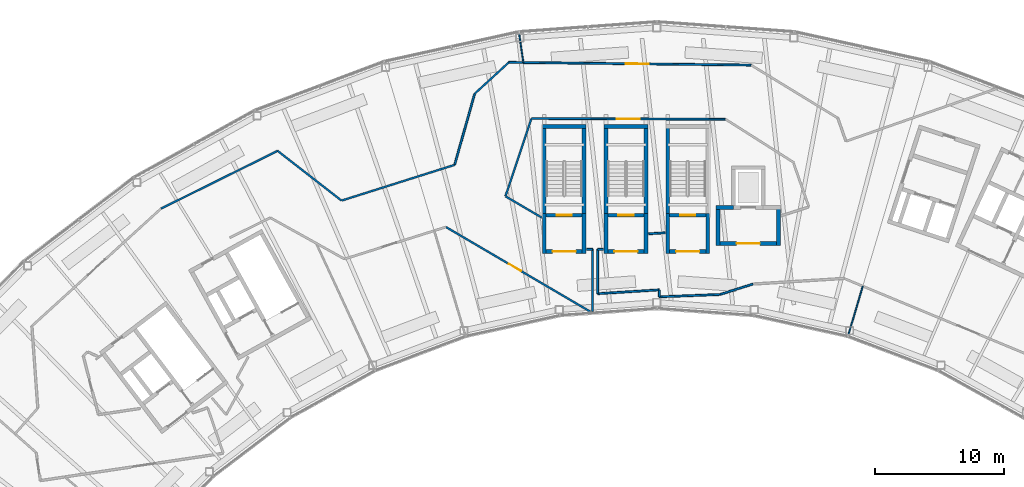
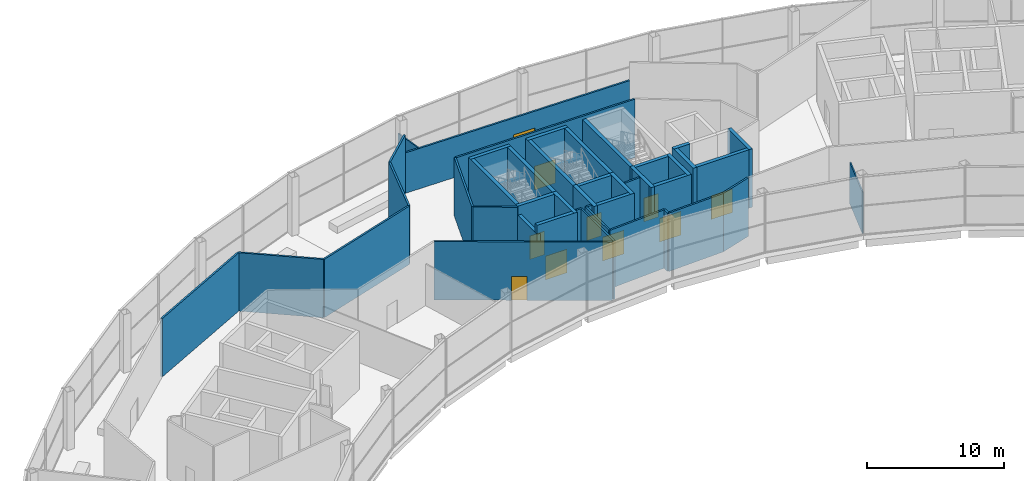
# One storey, part 38 of 44: 44 walls, 10 doors, 10 openings.
"""IFC4 building model written with IfcOpenShell, lengths in metres."""

import ifcopenshell
import ifcopenshell.guid

model = None  # the IFC model being written
_history = None  # IfcOwnerHistory: only IFC2X3 demands one
_inside = {}  # id of a spatial element -> (the spatial element, [elements in it])
_under = {}  # id of a project, library or spatial element -> (it, [spatial elements below it])
_declared = {}  # id of a project -> (the project, [libraries it declares])
_typed = {}  # id of a type object -> (the type object, [elements of that type])
_made_of = {}  # id of a material, layer set ... -> (it, [elements and type objects made of it])


def new_model(schema):
    """Start an empty IFC model of exactly this schema.

    Asked for "IFC4X3", IfcOpenShell would pick the latest addendum, in which some entities
    have other attributes; the version numbers below select the first issue.
    IFC2X3 requires an IfcOwnerHistory on every rooted entity: one is made here for all.
    """
    global model, _history
    if schema == "IFC4X3":
        model = ifcopenshell.file(schema_version=(4, 3, 0, 0))
    else:
        model = ifcopenshell.file(schema=schema)
    _inside.clear()
    _under.clear()
    _declared.clear()
    _typed.clear()
    _made_of.clear()
    _history = None
    if model.schema == "IFC2X3":
        org = make("IfcOrganization", Name="unknown")
        user = make(
            "IfcPersonAndOrganization",
            ThePerson=make("IfcPerson", FamilyName="unknown"),
            TheOrganization=org,
        )
        app = make(
            "IfcApplication",
            ApplicationDeveloper=org,
            Version="unknown",
            ApplicationFullName="unknown",
            ApplicationIdentifier="unknown",
        )
        _history = make(
            "IfcOwnerHistory",
            OwningUser=user,
            OwningApplication=app,
            ChangeAction="ADDED",
            CreationDate=0,
        )
    return model


def make(cls, **values):
    """One entity of the class cls with the attributes given. An attribute that is None is left unset."""
    return model.create_entity(
        cls, **{name: value for name, value in values.items() if value is not None}
    )


def rooted(cls, **values):
    """An entity with a GlobalId (a new one), such as an element, a storey or a relation."""
    return make(cls, GlobalId=ifcopenshell.guid.new(), OwnerHistory=_history, **values)


def si_unit(unit_type, name, prefix=None):
    """IfcSIUnit, for example si_unit("LENGTHUNIT", "METRE", prefix="MILLI")."""
    return make("IfcSIUnit", UnitType=unit_type, Prefix=prefix, Name=name)


def assignment(units):
    """IfcUnitAssignment: the units of a project."""
    return None if units is None else make("IfcUnitAssignment", Units=units)


def point(xyz):
    """IfcCartesianPoint."""
    return None if xyz is None else make("IfcCartesianPoint", Coordinates=xyz)


def direction(xyz):
    """IfcDirection."""
    return None if xyz is None else make("IfcDirection", DirectionRatios=xyz)


def frame(location, z_axis=None, x_axis=None):
    """IfcAxis2Placement3D, a coordinate frame: its origin and axes. An axis left out is left unset."""
    return make(
        "IfcAxis2Placement3D",
        Location=point(location),
        Axis=direction(z_axis),
        RefDirection=direction(x_axis),
    )


def frame_2d(location, x_axis=None):
    """IfcAxis2Placement2D, a coordinate frame in the plane: its origin and x axis."""
    return make(
        "IfcAxis2Placement2D", Location=point(location), RefDirection=direction(x_axis)
    )


def origin():
    """The frame at (0, 0, 0) with its axes left unset."""
    return frame((0.0, 0.0, 0.0))


def place(relative_to, where):
    """IfcLocalPlacement: puts the frame where relative to a parent placement (None: the world)."""
    return make(
        "IfcLocalPlacement", PlacementRelTo=relative_to, RelativePlacement=where
    )


def context(
    kind, dimensions, precision=None, world=None, true_north=None, identifier=None
):
    """IfcGeometricRepresentationContext, for example the 3D "Model" context."""
    return make(
        "IfcGeometricRepresentationContext",
        ContextIdentifier=identifier,
        ContextType=kind,
        CoordinateSpaceDimension=dimensions,
        Precision=precision,
        WorldCoordinateSystem=world,
        TrueNorth=true_north,
    )


def subcontext(parent, identifier, kind, view, scale=None):
    """IfcGeometricRepresentationSubContext, for example "Body" below "Model"."""
    return make(
        "IfcGeometricRepresentationSubContext",
        ContextIdentifier=identifier,
        ContextType=kind,
        ParentContext=parent,
        TargetScale=scale,
        TargetView=view,
    )


def project(units=None, contexts=None):
    """IfcProject with its units and contexts."""
    return rooted(
        "IfcProject",
        Name="project",
        RepresentationContexts=contexts,
        UnitsInContext=assignment(units),
    )


def spatial(cls, under=None, at=None, **own):
    """A site, building, storey or space (cls), placed at a placement, below another one or the project."""
    s = rooted(cls, ObjectPlacement=at, **own)
    if under is not None:
        _under.setdefault(under.id(), (under, []))[1].append(s)
    return s


def profile(cls, at=None, kind="AREA", **sizes):
    """A parametric profile (cls). Its sizes go by their IFC names, for example OverallWidth=200.0."""
    return make(cls, ProfileType=kind, Position=at, **sizes)


def rectangle(**sizes):
    """IfcRectangleProfileDef."""
    return profile("IfcRectangleProfileDef", **sizes)


def extrude(swept, where, along, depth):
    """IfcExtrudedAreaSolid: the profile swept, set in the frame where, extruded along a direction by depth."""
    return make(
        "IfcExtrudedAreaSolid",
        SweptArea=swept,
        Position=where,
        ExtrudedDirection=direction(along),
        Depth=depth,
    )


def shape(context_of_items, identifier, shape_type, items):
    """IfcShapeRepresentation: the items that make up one representation, for example the "Body"."""
    return make(
        "IfcShapeRepresentation",
        ContextOfItems=context_of_items,
        RepresentationIdentifier=identifier,
        RepresentationType=shape_type,
        Items=items,
    )


def material(Name=None, Category=None):
    """IfcMaterial."""
    return make("IfcMaterial", Name=Name, Category=Category)


def layer(
    of_material, thickness, ventilated=None, Name=None, Category=None, Priority=None
):
    """IfcMaterialLayer: one layer of a wall or slab, of a material (None: an air gap)."""
    return make(
        "IfcMaterialLayer",
        Material=of_material,
        LayerThickness=thickness,
        IsVentilated=ventilated,
        Name=Name,
        Category=Category,
        Priority=Priority,
    )


def layer_set(layers, Name=None):
    """IfcMaterialLayerSet."""
    return make("IfcMaterialLayerSet", MaterialLayers=layers, LayerSetName=Name)


def made_of(thing, what):
    """Note that an element or type object is made of a material, layer set ...; save() writes the relation."""
    if what is not None:
        _made_of.setdefault(what.id(), (what, []))[1].append(thing)
    return thing


def type_object(cls, material=None, **own):
    """A type object (cls), such as IfcWallType, which elements share."""
    return made_of(rooted(cls, **own), material)


def element(
    cls,
    number,
    at=None,
    inside=None,
    cuts=None,
    type_object=None,
    material=None,
    context=None,
    identifier="Body",
    shape_type=None,
    held_by="IfcProductDefinitionShape",
    body=None,
    shapes=None,
    **own,
):
    """One element of the class cls, such as IfcWall. Its Tag is "e" and its number.

    at: its placement. inside: the storey or other place that contains it. cuts: it is an
    opening in that element (IfcRelVoidsElement). A single representation is given by context,
    identifier, shape_type and body (its items); several are given by shapes. held_by: the class
    of the entity that holds the representations. save() writes the other relations.
    """
    e = rooted(cls, Tag="e%d" % number, ObjectPlacement=at, **own)
    if body is not None:
        shapes = [shape(context, identifier, shape_type, body)]
    if shapes is not None:
        e.Representation = make(held_by, Representations=shapes)
    if inside is not None:
        _inside.setdefault(inside.id(), (inside, []))[1].append(e)
    if cuts is not None:
        rooted(
            "IfcRelVoidsElement", RelatingBuildingElement=cuts, RelatedOpeningElement=e
        )
    if type_object is not None:
        _typed.setdefault(type_object.id(), (type_object, []))[1].append(e)
    return made_of(e, material)


def fill(opening, filler):
    """IfcRelFillsElement: the door or window that sits in an opening."""
    return rooted(
        "IfcRelFillsElement",
        RelatingOpeningElement=opening,
        RelatedBuildingElement=filler,
    )


def aggregate(whole, parts):
    """IfcRelAggregates: a whole, such as a stair, and the parts it consists of."""
    return rooted("IfcRelAggregates", RelatingObject=whole, RelatedObjects=parts)


def save(model, path):
    """Write the relations noted so far, then the file.

    IfcRelAggregates (storeys below a building ...), IfcRelContainedInSpatialStructure (elements
    in a storey), IfcRelDefinesByType, IfcRelAssociatesMaterial and IfcRelDeclares: one each for
    every whole, place, type object, material and project.
    """
    for whole, parts in _under.values():
        aggregate(whole, parts)
    for where, things in _inside.values():
        rooted(
            "IfcRelContainedInSpatialStructure",
            RelatedElements=things,
            RelatingStructure=where,
        )
    for kind, things in _typed.values():
        rooted("IfcRelDefinesByType", RelatedObjects=things, RelatingType=kind)
    for what, things in _made_of.values():
        rooted("IfcRelAssociatesMaterial", RelatedObjects=things, RelatingMaterial=what)
    for by, libraries in _declared.values():
        rooted("IfcRelDeclares", RelatingContext=by, RelatedDefinitions=libraries)
    model.write(path)


model = new_model("IFC4")

# Units and contexts
model_context = context("Model", 3, precision=1e-05, world=origin(), true_north=direction((0.0, 1.0)))
body_context = subcontext(model_context, "Body", "Model", "MODEL_VIEW")
ifc_project = project(units=[si_unit("LENGTHUNIT", "METRE"), si_unit("AREAUNIT", "SQUARE_METRE"), si_unit("VOLUMEUNIT", "CUBIC_METRE"), si_unit("PLANEANGLEUNIT", "RADIAN"), si_unit("MASSUNIT", "GRAM", prefix="KILO")], contexts=[model_context])

# Site, building, storey
site_placement = place(None, origin())
site = spatial("IfcSite", under=ifc_project, at=site_placement, CompositionType="ELEMENT")
building_placement = place(site_placement, origin())
building = spatial("IfcBuilding", under=site, at=building_placement, Name="Tuul Gate Civic Tower", CompositionType="ELEMENT")
storey_placement = place(building_placement, frame((0.0, 0.0, 354.60009765625)))
storey = spatial("IfcBuildingStorey", under=building, at=storey_placement, Name="Observation level 2", CompositionType="ELEMENT", Elevation=354.60009765625)

# Walls
ifc_material_1 = material(Name="Concrete C50/60", Category="concrete")
ifc_layer_1 = layer(ifc_material_1, 0.300048828125)
ifc_layer_set_1 = layer_set([ifc_layer_1], Name="Concrete C50/60")
wall_type_1 = type_object("IfcWallType", Name="Core wall C50/60", PredefinedType="SHEAR", material=ifc_layer_set_1)
for number, where, z_axis, x_axis, name in (
    (1, (-3.449951171875, -0.89990234375, -0.400146484375), (0.0, 0.0, 1.0), (0.0, 1.0, 0.0), "Core wall"),
    (2, (-6.550048828125, 6.300048828125, -0.400146484375), (0.0, 0.0, 1.0), (0.0, -1.0, 0.0), "Core wall"),
):
    element("IfcWall", number, at=place(storey_placement, frame(where, z_axis=z_axis, x_axis=x_axis)), inside=storey, type_object=wall_type_1, Name=name, PredefinedType="SHEAR", context=body_context, shape_type="SweptSolid", body=[
        extrude(rectangle(XDim=7.199951171875, YDim=0.300048828125, at=frame_2d((3.60009765625, 0.0))), origin(), (0.0, 0.0, 1.0), 5.60009765625),
    ])
wall_1_placement = place(storey_placement, frame((-3.300048828125, 6.14990234375, -0.400146484375), z_axis=(0.0, 0.0, 1.0), x_axis=(-1.0, 0.0, 0.0)))
element("IfcWall", 3, at=wall_1_placement, inside=storey, type_object=wall_type_1, Name="Core wall", PredefinedType="SHEAR", context=body_context, shape_type="SweptSolid", body=[
    extrude(rectangle(XDim=3.39990234375, YDim=0.300048828125, at=frame_2d((1.699951171875, 0.0))), origin(), (0.0, 0.0, 1.0), 5.60009765625),
])

# Wall, opening, door
wall_2_placement = place(storey_placement, frame((-3.300048828125, -0.75, -0.400146484375), z_axis=(0.0, 0.0, 1.0), x_axis=(-1.0, 0.0, 0.0)))
wall_2 = element("IfcWall", 4, at=wall_2_placement, inside=storey, type_object=wall_type_1, Name="Core wall", PredefinedType="SHEAR", context=body_context, shape_type="SweptSolid", body=[
    extrude(rectangle(XDim=3.39990234375, YDim=0.300048828125, at=frame_2d((1.699951171875, 0.0))), origin(), (0.0, 0.0, 1.0), 5.60009765625),
])
opening_1_placement = place(wall_2_placement, frame((1.10009765625, 0.0, 0.39990234375)))
opening_1 = element("IfcOpeningElement", 5, at=opening_1_placement, cuts=wall_2, Name="Opening SD-ST-5", PredefinedType="OPENING", context=body_context, shape_type="SweptSolid", body=[
    extrude(rectangle(XDim=1.199951171875, YDim=2.10009765625, at=frame_2d((0.60009765625, 1.050048828125))), frame((0.0, 0.16015625, 0.0), z_axis=(0.0, -1.0, 0.0), x_axis=(1.0, 0.0, 0.0)), (0.0, 0.0, 1.0), 0.320068359375),
])
ifc_material_2 = material(Name="Steel", Category="steel")
door_type_1 = type_object("IfcDoorType", Name="Stair door", OperationType="NOTDEFINED", PredefinedType="DOOR", material=ifc_material_2)
door_1_placement = place(opening_1_placement, origin())
door_1 = element("IfcDoor", 6, at=door_1_placement, inside=storey, type_object=door_type_1, Name="Stair door ST-5", OperationType="SINGLE_SWING_LEFT", OverallHeight=2.10009765625, OverallWidth=1.199951171875, PredefinedType="DOOR", context=body_context, shape_type="SweptSolid", body=[
    extrude(rectangle(XDim=1.199951171875, YDim=2.10009765625, at=frame_2d((0.60009765625, 1.050048828125))), frame((0.0, 0.02490234375, 0.0), z_axis=(0.0, -1.0, 0.0), x_axis=(1.0, 0.0, 0.0)), (0.0, 0.0, 1.0), 0.050048828125),
])
fill(opening_1, door_1)

# Walls
for number, where, z_axis, x_axis, name in (
    (7, (1.35009765625, -0.89990234375, -0.400146484375), (0.0, 0.0, 1.0), (0.0, 1.0, 0.0), "Core wall"),
    (8, (-1.75, 6.300048828125, -0.400146484375), (0.0, 0.0, 1.0), (0.0, -1.0, 0.0), "Core wall"),
):
    element("IfcWall", number, at=place(storey_placement, frame(where, z_axis=z_axis, x_axis=x_axis)), inside=storey, type_object=wall_type_1, Name=name, PredefinedType="SHEAR", context=body_context, shape_type="SweptSolid", body=[
        extrude(rectangle(XDim=7.199951171875, YDim=0.300048828125, at=frame_2d((3.60009765625, 0.0))), origin(), (0.0, 0.0, 1.0), 5.60009765625),
    ])
wall_3_placement = place(storey_placement, frame((1.5, 6.14990234375, -0.400146484375), z_axis=(0.0, 0.0, 1.0), x_axis=(-1.0, 0.0, 0.0)))
element("IfcWall", 9, at=wall_3_placement, inside=storey, type_object=wall_type_1, Name="Core wall", PredefinedType="SHEAR", context=body_context, shape_type="SweptSolid", body=[
    extrude(rectangle(XDim=3.39990234375, YDim=0.300048828125, at=frame_2d((1.699951171875, 0.0))), origin(), (0.0, 0.0, 1.0), 5.60009765625),
])

# Wall, opening, door
wall_4_placement = place(storey_placement, frame((1.5, -0.75, -0.400146484375), z_axis=(0.0, 0.0, 1.0), x_axis=(-1.0, 0.0, 0.0)))
wall_4 = element("IfcWall", 10, at=wall_4_placement, inside=storey, type_object=wall_type_1, Name="Core wall", PredefinedType="SHEAR", context=body_context, shape_type="SweptSolid", body=[
    extrude(rectangle(XDim=3.39990234375, YDim=0.300048828125, at=frame_2d((1.699951171875, 0.0))), origin(), (0.0, 0.0, 1.0), 5.60009765625),
])
opening_2_placement = place(wall_4_placement, frame((1.10009765625, 0.0, 0.39990234375)))
opening_2 = element("IfcOpeningElement", 11, at=opening_2_placement, cuts=wall_4, Name="Opening SD-ST-6", PredefinedType="OPENING", context=body_context, shape_type="SweptSolid", body=[
    extrude(rectangle(XDim=1.199951171875, YDim=2.10009765625, at=frame_2d((0.60009765625, 1.050048828125))), frame((0.0, 0.16015625, 0.0), z_axis=(0.0, -1.0, 0.0), x_axis=(1.0, 0.0, 0.0)), (0.0, 0.0, 1.0), 0.320068359375),
])
door_2_placement = place(opening_2_placement, origin())
door_2 = element("IfcDoor", 12, at=door_2_placement, inside=storey, type_object=door_type_1, Name="Stair door ST-6", OperationType="SINGLE_SWING_LEFT", OverallHeight=2.10009765625, OverallWidth=1.199951171875, PredefinedType="DOOR", context=body_context, shape_type="SweptSolid", body=[
    extrude(rectangle(XDim=1.199951171875, YDim=2.10009765625, at=frame_2d((0.60009765625, 1.050048828125))), frame((0.0, 0.02490234375, 0.0), z_axis=(0.0, -1.0, 0.0), x_axis=(1.0, 0.0, 0.0)), (0.0, 0.0, 1.0), 0.050048828125),
])
fill(opening_2, door_2)

# Wall
wall_5_placement = place(storey_placement, frame((3.050048828125, 6.300048828125, -0.400146484375), z_axis=(0.0, 0.0, 1.0), x_axis=(0.0, -1.0, 0.0)))
element("IfcWall", 13, at=wall_5_placement, inside=storey, type_object=wall_type_1, Name="Core wall", PredefinedType="SHEAR", context=body_context, shape_type="SweptSolid", body=[
    extrude(rectangle(XDim=7.199951171875, YDim=0.300048828125, at=frame_2d((3.60009765625, 0.0))), origin(), (0.0, 0.0, 1.0), 5.60009765625),
])

# Wall, opening, door
wall_6_placement = place(storey_placement, frame((6.300048828125, -0.75, -0.400146484375), z_axis=(0.0, 0.0, 1.0), x_axis=(-1.0, 0.0, 0.0)))
wall_6 = element("IfcWall", 14, at=wall_6_placement, inside=storey, type_object=wall_type_1, Name="Core wall", PredefinedType="SHEAR", context=body_context, shape_type="SweptSolid", body=[
    extrude(rectangle(XDim=3.400146484375, YDim=0.300048828125, at=frame_2d((1.7001953125, 0.0))), origin(), (0.0, 0.0, 1.0), 5.60009765625),
])
opening_3_placement = place(wall_6_placement, frame((1.10009765625, 0.0, 0.39990234375)))
opening_3 = element("IfcOpeningElement", 15, at=opening_3_placement, cuts=wall_6, Name="Opening SD-ST-7", PredefinedType="OPENING", context=body_context, shape_type="SweptSolid", body=[
    extrude(rectangle(XDim=1.199951171875, YDim=2.10009765625, at=frame_2d((0.60009765625, 1.050048828125))), frame((0.0, 0.16015625, 0.0), z_axis=(0.0, -1.0, 0.0), x_axis=(1.0, 0.0, 0.0)), (0.0, 0.0, 1.0), 0.320068359375),
])
door_3_placement = place(opening_3_placement, origin())
door_3 = element("IfcDoor", 16, at=door_3_placement, inside=storey, type_object=door_type_1, Name="Stair door ST-7", OperationType="SINGLE_SWING_LEFT", OverallHeight=2.10009765625, OverallWidth=1.199951171875, PredefinedType="DOOR", context=body_context, shape_type="SweptSolid", body=[
    extrude(rectangle(XDim=1.199951171875, YDim=2.10009765625, at=frame_2d((0.60009765625, 1.050048828125))), frame((0.0, 0.02490234375, 0.0), z_axis=(0.0, -1.0, 0.0), x_axis=(1.0, 0.0, 0.0)), (0.0, 0.0, 1.0), 0.050048828125),
])
fill(opening_3, door_3)

# Walls
ifc_material_3 = material(Name="Gypsum board partition")
ifc_layer_2 = layer(ifc_material_3, 0.14990234375)
ifc_layer_set_2 = layer_set([ifc_layer_2], Name="Gypsum board partition")
wall_type_2 = type_object("IfcWallType", Name="Corridor wall P150", PredefinedType="PARTITIONING", material=ifc_layer_set_2)
wall_7_placement = place(storey_placement, frame((-11.9658203125, 8.69384765625, 0.0), z_axis=(0.0, 0.0, 1.0), x_axis=(0.737027881351, 0.675862339616, 0.0)))
element("IfcWall", 17, at=wall_7_placement, inside=storey, type_object=wall_type_2, Name="p023", PredefinedType="PARTITIONING", context=body_context, shape_type="SweptSolid", body=[
    extrude(rectangle(XDim=3.6123046875, YDim=0.14990234375, at=frame_2d((1.80615234375, 0.0))), origin(), (0.0, 0.0, 1.0), 5.199951171875),
])
wall_8_placement = place(storey_placement, frame((-13.50927734375, 3.18310546875, 0.0), z_axis=(0.0, 0.0, 1.0), x_axis=(0.269639422069, 0.96296136063, 0.0)))
element("IfcWall", 18, at=wall_8_placement, inside=storey, type_object=wall_type_2, Name="p024", PredefinedType="PARTITIONING", context=body_context, shape_type="SweptSolid", body=[
    extrude(rectangle(XDim=5.721435546875, YDim=0.14990234375, at=frame_2d((2.86083984375, 0.0))), origin(), (0.0, 0.0, 1.0), 5.199951171875),
])
wall_9_placement = place(storey_placement, frame((-22.297119140625, 0.395751953125, 0.0), z_axis=(0.0, 0.0, 1.0), x_axis=(0.95351527668, 0.301344681614, 0.0)))
element("IfcWall", 19, at=wall_9_placement, inside=storey, type_object=wall_type_2, Name="p025", PredefinedType="PARTITIONING", context=body_context, shape_type="SweptSolid", body=[
    extrude(rectangle(XDim=9.201904296875, YDim=0.14990234375, at=frame_2d((4.60107421875, 0.0))), origin(), (0.0, 0.0, 1.0), 5.199951171875),
])
wall_10_placement = place(storey_placement, frame((-27.273193359375, 4.258056640625, 0.0), z_axis=(0.0, 0.0, 1.0), x_axis=(0.789073803874, -0.614298406346, 0.0)))
element("IfcWall", 20, at=wall_10_placement, inside=storey, type_object=wall_type_2, Name="p026", PredefinedType="PARTITIONING", context=body_context, shape_type="SweptSolid", body=[
    extrude(rectangle(XDim=6.28173828125, YDim=0.14990234375, at=frame_2d((3.140869140625, 0.0))), origin(), (0.0, 0.0, 1.0), 5.199951171875),
])
wall_11_placement = place(storey_placement, frame((-36.3369140625, -0.229736328125, 0.0), z_axis=(0.0, 0.0, 1.0), x_axis=(0.896139472554, 0.443772515746, 0.0)))
element("IfcWall", 21, at=wall_11_placement, inside=storey, type_object=wall_type_2, Name="p027", PredefinedType="PARTITIONING", context=body_context, shape_type="SweptSolid", body=[
    extrude(rectangle(XDim=10.11279296875, YDim=0.14990234375, at=frame_2d((5.056396484375, 0.0))), origin(), (0.0, 0.0, 1.0), 5.199951171875),
])
wall_12_placement = place(storey_placement, frame((-2.80078125, -8.220458984375, 0.0), z_axis=(0.0, 0.0, 1.0), x_axis=(0.000151937198, 0.999999988458, 0.0)))
element("IfcWall", 22, at=wall_12_placement, inside=storey, type_object=wall_type_2, Name="p044", PredefinedType="PARTITIONING", context=body_context, shape_type="SweptSolid", body=[
    extrude(rectangle(XDim=4.820556640625, YDim=0.14990234375, at=frame_2d((2.41015625, 0.0))), origin(), (0.0, 0.0, 1.0), 5.199951171875),
])
for number, where, z_axis, x_axis, name in (
    (23, (-3.25, -3.400634765625, 0.0), (0.0, 0.0, 1.0), (0.999998675167, 0.001627778636, 0.0), "p045"),
    (24, (-2.39990234375, -3.3994140625, 0.0), (0.0, 0.0, 1.0), (0.999998675167, 0.001627778636, 0.0), "p046"),
):
    element("IfcWall", number, at=place(storey_placement, frame(where, z_axis=z_axis, x_axis=x_axis)), inside=storey, type_object=wall_type_2, Name=name, PredefinedType="PARTITIONING", context=body_context, shape_type="SweptSolid", body=[
        extrude(rectangle(XDim=0.449951171875, YDim=0.14990234375, at=frame_2d((0.22509765625, 0.0))), origin(), (0.0, 0.0, 1.0), 5.199951171875),
    ])
wall_13_placement = place(storey_placement, frame((-9.5556640625, 0.72119140625, 0.0), z_axis=(0.0, 0.0, 1.0), x_axis=(0.862589545035, -0.505904414683, 0.0)))
element("IfcWall", 25, at=wall_13_placement, inside=storey, type_object=wall_type_2, Name="p047", PredefinedType="PARTITIONING", context=body_context, shape_type="SweptSolid", body=[
    extrude(rectangle(XDim=3.252685546875, YDim=0.14990234375, at=frame_2d((1.62646484375, 0.0))), origin(), (0.0, 0.0, 1.0), 5.199951171875),
])
wall_14_placement = place(storey_placement, frame((-9.564697265625, 0.74560546875, 0.0), z_axis=(0.0, 0.0, 1.0), x_axis=(0.317393367825, 0.948293968166, 0.0)))
element("IfcWall", 26, at=wall_14_placement, inside=storey, type_object=wall_type_2, Name="p048", PredefinedType="PARTITIONING", context=body_context, shape_type="SweptSolid", body=[
    extrude(rectangle(XDim=6.34521484375, YDim=0.14990234375, at=frame_2d((3.172607421875, 0.0))), origin(), (0.0, 0.0, 1.0), 5.199951171875),
])

# Wall, opening, door
wall_15_placement = place(storey_placement, frame((-7.53125, 6.776611328125, 0.0), z_axis=(0.0, 0.0, 1.0), x_axis=(0.999991019025, -0.004238144552, 0.0)))
wall_15 = element("IfcWall", 27, at=wall_15_placement, inside=storey, type_object=wall_type_2, Name="p049", PredefinedType="PARTITIONING", context=body_context, shape_type="SweptSolid", body=[
    extrude(rectangle(XDim=15.03515625, YDim=0.14990234375, at=frame_2d((7.517578125, 0.0))), origin(), (0.0, 0.0, 1.0), 5.199951171875),
])
opening_4_placement = place(wall_15_placement, frame((6.61767578125, 0.0, 0.0)))
opening_4 = element("IfcOpeningElement", 28, at=opening_4_placement, cuts=wall_15, Name="Opening AE-D07", PredefinedType="OPENING", context=body_context, shape_type="SweptSolid", body=[
    extrude(rectangle(XDim=1.800048828125, YDim=2.10009765625, at=frame_2d((0.89990234375, 1.050048828125))), frame((0.0, 0.0849609375, 0.0), z_axis=(0.0, -1.0, 0.0), x_axis=(1.0, 0.0, 0.0)), (0.0, 0.0, 1.0), 0.169921875),
])
ifc_material_4 = material(Name="Timber door leaf, double", Category="wood")
door_type_2 = type_object("IfcDoorType", Name="Door D18", OperationType="DOUBLE_DOOR_SINGLE_SWING", PredefinedType="DOOR", material=ifc_material_4)
door_4_placement = place(opening_4_placement, origin())
door_4 = element("IfcDoor", 29, at=door_4_placement, inside=storey, type_object=door_type_2, Name="Door AE-D07", OperationType="DOUBLE_DOOR_SINGLE_SWING", OverallHeight=2.10009765625, OverallWidth=1.800048828125, PredefinedType="DOOR", context=body_context, shape_type="SweptSolid", body=[
    extrude(rectangle(XDim=1.800048828125, YDim=2.10009765625, at=frame_2d((0.89990234375, 1.050048828125))), frame((0.0, 0.02490234375, 0.0), z_axis=(0.0, -1.0, 0.0), x_axis=(1.0, 0.0, 0.0)), (0.0, 0.0, 1.0), 0.050048828125),
])
fill(opening_4, door_4)

# Walls
wall_16_placement = place(storey_placement, frame((1.550048828125, -2.18798828125, 0.0), z_axis=(0.0, 0.0, 1.0), x_axis=(0.998085259502, 0.061853171011, 0.0)))
element("IfcWall", 30, at=wall_16_placement, inside=storey, type_object=wall_type_2, Name="p052", PredefinedType="PARTITIONING", context=body_context, shape_type="SweptSolid", body=[
    extrude(rectangle(XDim=1.302490234375, YDim=0.14990234375, at=frame_2d((0.6513671875, 0.0))), origin(), (0.0, 0.0, 1.0), 5.199951171875),
])
wall_17_placement = place(storey_placement, frame((-2.39990234375, -6.840576171875, 0.0), z_axis=(0.0, 0.0, 1.0), x_axis=(0.0, 1.0, 0.0)))
element("IfcWall", 31, at=wall_17_placement, inside=storey, type_object=wall_type_2, Name="p053", PredefinedType="PARTITIONING", context=body_context, shape_type="SweptSolid", body=[
    extrude(rectangle(XDim=3.440673828125, YDim=0.14990234375, at=frame_2d((1.72021484375, 0.0))), origin(), (0.0, 0.0, 1.0), 5.199951171875),
])
wall_18_placement = place(storey_placement, frame((-2.39990234375, -6.840576171875, 0.0), z_axis=(0.0, 0.0, 1.0), x_axis=(0.998084373173, 0.061867471485, 0.0)))
element("IfcWall", 32, at=wall_18_placement, inside=storey, type_object=wall_type_2, Name="p054", PredefinedType="PARTITIONING", context=body_context, shape_type="SweptSolid", body=[
    extrude(rectangle(XDim=4.790771484375, YDim=0.14990234375, at=frame_2d((2.3955078125, 0.0))), origin(), (0.0, 0.0, 1.0), 5.199951171875),
])
wall_19_placement = place(storey_placement, frame((2.39990234375, -6.563720703125, 0.0), z_axis=(0.0, 0.0, 1.0), x_axis=(0.0, -1.0, 0.0)))
element("IfcWall", 33, at=wall_19_placement, inside=storey, type_object=wall_type_2, Name="p056", PredefinedType="PARTITIONING", context=body_context, shape_type="SweptSolid", body=[
    extrude(rectangle(XDim=0.5224609375, YDim=0.14990234375, at=frame_2d((0.26123046875, 0.0))), origin(), (0.0, 0.0, 1.0), 5.199951171875),
])
wall_20_placement = place(storey_placement, frame((2.39990234375, -7.086181640625, 0.0), z_axis=(0.0, 0.0, 1.0), x_axis=(0.999250093326, 0.038720162561, 0.0)))
element("IfcWall", 34, at=wall_20_placement, inside=storey, type_object=wall_type_2, Name="p057", PredefinedType="PARTITIONING", context=body_context, shape_type="SweptSolid", body=[
    extrude(rectangle(XDim=4.70361328125, YDim=0.14990234375, at=frame_2d((2.351806640625, 0.0))), origin(), (0.0, 0.0, 1.0), 5.199951171875),
])
wall_21_placement = place(storey_placement, frame((7.10009765625, -6.904052734375, 0.0), z_axis=(0.0, 0.0, 1.0), x_axis=(0.953409679809, 0.301678607871, 0.0)))
element("IfcWall", 35, at=wall_21_placement, inside=storey, type_object=wall_type_2, Name="p059", PredefinedType="PARTITIONING", context=body_context, shape_type="SweptSolid", body=[
    extrude(rectangle(XDim=2.68994140625, YDim=0.14990234375, at=frame_2d((1.344970703125, 0.0))), origin(), (0.0, 0.0, 1.0), 5.199951171875),
])

# Wall, opening, door
wall_22_placement = place(storey_placement, frame((-14.18798828125, -1.6630859375, 0.0), z_axis=(0.0, 0.0, 1.0), x_axis=(0.862652728551, -0.505796668558, 0.0)))
wall_22 = element("IfcWall", 36, at=wall_22_placement, inside=storey, type_object=wall_type_2, Name="p062", PredefinedType="PARTITIONING", context=body_context, shape_type="SweptSolid", body=[
    extrude(rectangle(XDim=12.990478515625, YDim=0.14990234375, at=frame_2d((6.4951171875, 0.0))), origin(), (0.0, 0.0, 1.0), 5.199951171875),
])
opening_5_placement = place(wall_22_placement, frame((5.65380859375, 0.0, 0.0)))
opening_5 = element("IfcOpeningElement", 37, at=opening_5_placement, cuts=wall_22, Name="Opening AE-D08", PredefinedType="OPENING", context=body_context, shape_type="SweptSolid", body=[
    extrude(rectangle(XDim=1.10009765625, YDim=2.10009765625, at=frame_2d((0.550048828125, 1.050048828125))), frame((0.0, 0.0849609375, 0.0), z_axis=(0.0, -1.0, 0.0), x_axis=(1.0, 0.0, 0.0)), (0.0, 0.0, 1.0), 0.169921875),
])
ifc_material_5 = material(Name="Timber door leaf", Category="wood")
door_type_3 = type_object("IfcDoorType", Name="Door D11", OperationType="NOTDEFINED", PredefinedType="DOOR", material=ifc_material_5)
door_5_placement = place(opening_5_placement, frame((1.10009765625, 0.0, 0.0), z_axis=(0.0, 0.0, 1.0), x_axis=(-1.0, 0.0, 0.0)))
door_5 = element("IfcDoor", 38, at=door_5_placement, inside=storey, type_object=door_type_3, Name="Door AE-D08", OperationType="SINGLE_SWING_LEFT", OverallHeight=2.10009765625, OverallWidth=1.10009765625, PredefinedType="DOOR", context=body_context, shape_type="SweptSolid", body=[
    extrude(rectangle(XDim=1.10009765625, YDim=2.10009765625, at=frame_2d((0.550048828125, 1.050048828125))), frame((0.0, 0.02490234375, 0.0), z_axis=(0.0, -1.0, 0.0), x_axis=(1.0, 0.0, 0.0)), (0.0, 0.0, 1.0), 0.050048828125),
])
fill(opening_5, door_5)

ifc_material_6 = material(Name="Gypsum board partition")
ifc_layer_3 = layer(ifc_material_6, 0.14990234375)
ifc_layer_set_3 = layer_set([ifc_layer_3], Name="Gypsum board partition")
wall_type_3 = type_object("IfcWallType", Name="Corridor wall P150 3600 HIGH", PredefinedType="PARTITIONING", material=ifc_layer_set_3)
wall_23_placement = place(storey_placement, frame((-9.302001953125, 11.1357421875, 0.0), z_axis=(0.0, 0.0, 1.0), x_axis=(0.999936966072, -0.011227817344, 0.0)))
wall_23 = element("IfcWall", 39, at=wall_23_placement, inside=storey, type_object=wall_type_3, Name="p019", PredefinedType="PARTITIONING", context=body_context, shape_type="SweptSolid", body=[
    extrude(rectangle(XDim=18.83056640625, YDim=0.14990234375, at=frame_2d((9.415283203125, 0.0))), origin(), (0.0, 0.0, 1.0), 3.599853515625),
])
opening_6_placement = place(wall_23_placement, frame((9.07861328125, 0.0, 0.0)))
opening_6 = element("IfcOpeningElement", 40, at=opening_6_placement, cuts=wall_23, Name="Opening AE-D03", PredefinedType="OPENING", context=body_context, shape_type="SweptSolid", body=[
    extrude(rectangle(XDim=1.800048828125, YDim=2.10009765625, at=frame_2d((0.89990234375, 1.050048828125))), frame((0.0, 0.0849609375, 0.0), z_axis=(0.0, -1.0, 0.0), x_axis=(1.0, 0.0, 0.0)), (0.0, 0.0, 1.0), 0.169921875),
])
door_6_placement = place(opening_6_placement, origin())
door_6 = element("IfcDoor", 41, at=door_6_placement, inside=storey, type_object=door_type_2, Name="Door AE-D03", OperationType="DOUBLE_DOOR_SINGLE_SWING", OverallHeight=2.10009765625, OverallWidth=1.800048828125, PredefinedType="DOOR", context=body_context, shape_type="SweptSolid", body=[
    extrude(rectangle(XDim=1.800048828125, YDim=2.10009765625, at=frame_2d((0.89990234375, 1.050048828125))), frame((0.0, 0.02490234375, 0.0), z_axis=(0.0, -1.0, 0.0), x_axis=(1.0, 0.0, 0.0)), (0.0, 0.0, 1.0), 0.050048828125),
])
fill(opening_6, door_6)

# Walls
ifc_material_7 = material(Name="Gypsum board partition")
ifc_layer_4 = layer(ifc_material_7, 0.10009765625)
ifc_layer_set_4 = layer_set([ifc_layer_4], Name="Gypsum board partition")
wall_type_4 = type_object("IfcWallType", Name="Partition P100 3700 HIGH", PredefinedType="PARTITIONING", material=ifc_layer_set_4)
wall_24_placement = place(storey_placement, frame((-8.505126953125, 13.3837890625, 0.0), z_axis=(0.0, 0.0, 1.0), x_axis=(0.144158654324, -0.989554587874, 0.0)))
element("IfcWall", 42, at=wall_24_placement, inside=storey, type_object=wall_type_4, Name="p015", PredefinedType="PARTITIONING", context=body_context, shape_type="SweptSolid", body=[
    extrude(rectangle(XDim=2.28466796875, YDim=0.10009765625, at=frame_2d((1.142333984375, 0.0))), origin(), (0.0, 0.0, 1.0), 3.699951171875),
])
wall_25_placement = place(storey_placement, frame((17.083251953125, -10.027587890625, 0.0), z_axis=(0.0, 0.0, 1.0), x_axis=(0.28524001735, 0.958456119236, 0.0)))
element("IfcWall", 43, at=wall_25_placement, inside=storey, type_object=wall_type_4, Name="p035", PredefinedType="PARTITIONING", context=body_context, shape_type="SweptSolid", body=[
    extrude(rectangle(XDim=3.932861328125, YDim=0.10009765625, at=frame_2d((1.96630859375, 0.0))), origin(), (0.0, 0.0, 1.0), 3.699951171875),
])
ifc_material_8 = material(Name="Concrete C40/50", Category="concrete")
ifc_layer_5 = layer(ifc_material_8, 0.300048828125)
ifc_layer_set_5 = layer_set([ifc_layer_5], Name="Concrete C40/50")
wall_type_5 = type_object("IfcWallType", Name="Stair lobby wall C40/50", PredefinedType="STANDARD", material=ifc_layer_set_5)
wall_26_placement = place(storey_placement, frame((-3.449951171875, -0.60009765625, 0.0), z_axis=(0.0, 0.0, 1.0), x_axis=(0.0, -1.0, 0.0)))
element("IfcWall", 44, at=wall_26_placement, inside=storey, type_object=wall_type_5, Name="Shaft wall", PredefinedType="STANDARD", context=body_context, shape_type="SweptSolid", body=[
    extrude(rectangle(XDim=3.099853515625, YDim=0.300048828125, at=frame_2d((1.5498046875, 0.0))), origin(), (0.0, 0.0, 1.0), 5.199951171875),
])

# Wall, opening, door
wall_27_placement = place(storey_placement, frame((-3.300048828125, -3.550048828125, 0.0), z_axis=(0.0, 0.0, 1.0), x_axis=(-1.0, 0.0, 0.0)))
wall_27 = element("IfcWall", 45, at=wall_27_placement, inside=storey, type_object=wall_type_5, Name="Shaft wall", PredefinedType="STANDARD", context=body_context, shape_type="SweptSolid", body=[
    extrude(rectangle(XDim=3.39990234375, YDim=0.300048828125, at=frame_2d((1.699951171875, 0.0))), origin(), (0.0, 0.0, 1.0), 5.199951171875),
])
opening_7_placement = place(wall_27_placement, frame((0.800048828125, 0.0, 0.0)))
opening_7 = element("IfcOpeningElement", 46, at=opening_7_placement, cuts=wall_27, Name="Opening LB-CS5-LOBBY-1", PredefinedType="OPENING", context=body_context, shape_type="SweptSolid", body=[
    extrude(rectangle(XDim=1.800048828125, YDim=2.10009765625, at=frame_2d((0.89990234375, 1.050048828125))), frame((0.0, 0.16015625, 0.0), z_axis=(0.0, -1.0, 0.0), x_axis=(1.0, 0.0, 0.0)), (0.0, 0.0, 1.0), 0.320068359375),
])
ifc_material_9 = material(Name="Steel", Category="steel")
door_type_4 = type_object("IfcDoorType", Name="Lobby door", OperationType="DOUBLE_DOOR_SINGLE_SWING", PredefinedType="DOOR", material=ifc_material_9)
door_7_placement = place(opening_7_placement, frame((1.800048828125, 0.0, 0.0), z_axis=(0.0, 0.0, 1.0), x_axis=(-1.0, 0.0, 0.0)))
door_7 = element("IfcDoor", 47, at=door_7_placement, inside=storey, type_object=door_type_4, Name="Lobby door CS5", OperationType="DOUBLE_DOOR_SINGLE_SWING", OverallHeight=2.10009765625, OverallWidth=1.800048828125, PredefinedType="DOOR", context=body_context, shape_type="SweptSolid", body=[
    extrude(rectangle(XDim=1.800048828125, YDim=2.10009765625, at=frame_2d((0.900146484375, 1.050048828125))), frame((0.0, 0.02490234375, 0.0), z_axis=(0.0, -1.0, 0.0), x_axis=(1.0, 0.0, 0.0)), (0.0, 0.0, 1.0), 0.050048828125),
])
fill(opening_7, door_7)

# Walls
for number, where, z_axis, x_axis, name in (
    (48, (1.35009765625, -0.60009765625, 0.0), (0.0, 0.0, 1.0), (0.0, -1.0, 0.0), "Shaft wall"),
    (49, (-1.75, -3.699951171875, 0.0), (0.0, 0.0, 1.0), (0.0, 1.0, 0.0), "Shaft wall"),
):
    element("IfcWall", number, at=place(storey_placement, frame(where, z_axis=z_axis, x_axis=x_axis)), inside=storey, type_object=wall_type_5, Name=name, PredefinedType="STANDARD", context=body_context, shape_type="SweptSolid", body=[
        extrude(rectangle(XDim=3.099853515625, YDim=0.300048828125, at=frame_2d((1.5498046875, 0.0))), origin(), (0.0, 0.0, 1.0), 5.199951171875),
    ])

# Wall, opening, door
wall_28_placement = place(storey_placement, frame((1.5, -3.550048828125, 0.0), z_axis=(0.0, 0.0, 1.0), x_axis=(-1.0, 0.0, 0.0)))
wall_28 = element("IfcWall", 50, at=wall_28_placement, inside=storey, type_object=wall_type_5, Name="Shaft wall", PredefinedType="STANDARD", context=body_context, shape_type="SweptSolid", body=[
    extrude(rectangle(XDim=3.39990234375, YDim=0.300048828125, at=frame_2d((1.699951171875, 0.0))), origin(), (0.0, 0.0, 1.0), 5.199951171875),
])
opening_8_placement = place(wall_28_placement, frame((0.800048828125, 0.0, 0.0)))
opening_8 = element("IfcOpeningElement", 51, at=opening_8_placement, cuts=wall_28, Name="Opening LB-CS6-LOBBY-1", PredefinedType="OPENING", context=body_context, shape_type="SweptSolid", body=[
    extrude(rectangle(XDim=1.800048828125, YDim=2.10009765625, at=frame_2d((0.89990234375, 1.050048828125))), frame((0.0, 0.16015625, 0.0), z_axis=(0.0, -1.0, 0.0), x_axis=(1.0, 0.0, 0.0)), (0.0, 0.0, 1.0), 0.320068359375),
])
door_8_placement = place(opening_8_placement, frame((1.800048828125, 0.0, 0.0), z_axis=(0.0, 0.0, 1.0), x_axis=(-1.0, 0.0, 0.0)))
door_8 = element("IfcDoor", 52, at=door_8_placement, inside=storey, type_object=door_type_4, Name="Lobby door CS6", OperationType="DOUBLE_DOOR_SINGLE_SWING", OverallHeight=2.10009765625, OverallWidth=1.800048828125, PredefinedType="DOOR", context=body_context, shape_type="SweptSolid", body=[
    extrude(rectangle(XDim=1.800048828125, YDim=2.10009765625, at=frame_2d((0.900146484375, 1.050048828125))), frame((0.0, 0.02490234375, 0.0), z_axis=(0.0, -1.0, 0.0), x_axis=(1.0, 0.0, 0.0)), (0.0, 0.0, 1.0), 0.050048828125),
])
fill(opening_8, door_8)

# Walls
for number, where, z_axis, x_axis, name in (
    (53, (6.14990234375, -0.60009765625, 0.0), (0.0, 0.0, 1.0), (0.0, -1.0, 0.0), "Shaft wall"),
    (54, (3.050048828125, -3.699951171875, 0.0), (0.0, 0.0, 1.0), (0.0, 1.0, 0.0), "Shaft wall"),
):
    element("IfcWall", number, at=place(storey_placement, frame(where, z_axis=z_axis, x_axis=x_axis)), inside=storey, type_object=wall_type_5, Name=name, PredefinedType="STANDARD", context=body_context, shape_type="SweptSolid", body=[
        extrude(rectangle(XDim=3.099853515625, YDim=0.300048828125, at=frame_2d((1.5498046875, 0.0))), origin(), (0.0, 0.0, 1.0), 5.199951171875),
    ])

# Wall, opening, door
wall_29_placement = place(storey_placement, frame((6.300048828125, -3.550048828125, 0.0), z_axis=(0.0, 0.0, 1.0), x_axis=(-1.0, 0.0, 0.0)))
wall_29 = element("IfcWall", 55, at=wall_29_placement, inside=storey, type_object=wall_type_5, Name="Shaft wall", PredefinedType="STANDARD", context=body_context, shape_type="SweptSolid", body=[
    extrude(rectangle(XDim=3.400146484375, YDim=0.300048828125, at=frame_2d((1.7001953125, 0.0))), origin(), (0.0, 0.0, 1.0), 5.199951171875),
])
opening_9_placement = place(wall_29_placement, frame((0.800048828125, 0.0, 0.0)))
opening_9 = element("IfcOpeningElement", 56, at=opening_9_placement, cuts=wall_29, Name="Opening LB-CS7-LOBBY-1", PredefinedType="OPENING", context=body_context, shape_type="SweptSolid", body=[
    extrude(rectangle(XDim=1.800048828125, YDim=2.10009765625, at=frame_2d((0.89990234375, 1.050048828125))), frame((0.0, 0.16015625, 0.0), z_axis=(0.0, -1.0, 0.0), x_axis=(1.0, 0.0, 0.0)), (0.0, 0.0, 1.0), 0.320068359375),
])
door_9_placement = place(opening_9_placement, frame((1.800048828125, 0.0, 0.0), z_axis=(0.0, 0.0, 1.0), x_axis=(-1.0, 0.0, 0.0)))
door_9 = element("IfcDoor", 57, at=door_9_placement, inside=storey, type_object=door_type_4, Name="Lobby door CS7", OperationType="DOUBLE_DOOR_SINGLE_SWING", OverallHeight=2.10009765625, OverallWidth=1.800048828125, PredefinedType="DOOR", context=body_context, shape_type="SweptSolid", body=[
    extrude(rectangle(XDim=1.800048828125, YDim=2.10009765625, at=frame_2d((0.900146484375, 1.050048828125))), frame((0.0, 0.02490234375, 0.0), z_axis=(0.0, -1.0, 0.0), x_axis=(1.0, 0.0, 0.0)), (0.0, 0.0, 1.0), 0.050048828125),
])
fill(opening_9, door_9)

# Walls
for number, where, z_axis, x_axis, name in (
    (58, (11.64990234375, 0.0, 0.0), (0.0, 0.0, 1.0), (0.0, -1.0, 0.0), "Shaft wall"),
    (59, (6.949951171875, -3.10009765625, 0.0), (0.0, 0.0, 1.0), (0.0, 1.0, 0.0), "Shaft wall"),
):
    element("IfcWall", number, at=place(storey_placement, frame(where, z_axis=z_axis, x_axis=x_axis)), inside=storey, type_object=wall_type_5, Name=name, PredefinedType="STANDARD", context=body_context, shape_type="SweptSolid", body=[
        extrude(rectangle(XDim=3.10009765625, YDim=0.300048828125, at=frame_2d((1.550048828125, 0.0))), origin(), (0.0, 0.0, 1.0), 5.199951171875),
    ])

# Wall, opening, door
wall_30_placement = place(storey_placement, frame((11.800048828125, -2.949951171875, 0.0), z_axis=(0.0, 0.0, 1.0), x_axis=(-1.0, 0.0, 0.0)))
wall_30 = element("IfcWall", 60, at=wall_30_placement, inside=storey, type_object=wall_type_5, Name="Shaft wall", PredefinedType="STANDARD", context=body_context, shape_type="SweptSolid", body=[
    extrude(rectangle(XDim=5.0, YDim=0.300048828125, at=frame_2d((2.5, 0.0))), origin(), (0.0, 0.0, 1.0), 5.199951171875),
])
opening_10_placement = place(wall_30_placement, frame((1.60009765625, 0.0, 0.0)))
opening_10 = element("IfcOpeningElement", 61, at=opening_10_placement, cuts=wall_30, Name="Opening LB-CX4-LOBBY-1", PredefinedType="OPENING", context=body_context, shape_type="SweptSolid", body=[
    extrude(rectangle(XDim=1.800048828125, YDim=2.10009765625, at=frame_2d((0.89990234375, 1.050048828125))), frame((0.0, 0.16015625, 0.0), z_axis=(0.0, -1.0, 0.0), x_axis=(1.0, 0.0, 0.0)), (0.0, 0.0, 1.0), 0.320068359375),
])
door_10_placement = place(opening_10_placement, frame((1.800048828125, 0.0, 0.0), z_axis=(0.0, 0.0, 1.0), x_axis=(-1.0, 0.0, 0.0)))
door_10 = element("IfcDoor", 62, at=door_10_placement, inside=storey, type_object=door_type_4, Name="Lobby door CX4", OperationType="DOUBLE_DOOR_SINGLE_SWING", OverallHeight=2.10009765625, OverallWidth=1.800048828125, PredefinedType="DOOR", context=body_context, shape_type="SweptSolid", body=[
    extrude(rectangle(XDim=1.800048828125, YDim=2.10009765625, at=frame_2d((0.900146484375, 1.050048828125))), frame((0.0, 0.02490234375, 0.0), z_axis=(0.0, -1.0, 0.0), x_axis=(1.0, 0.0, 0.0)), (0.0, 0.0, 1.0), 0.050048828125),
])
fill(opening_10, door_10)

# Walls
wall_31_placement = place(storey_placement, frame((8.14990234375, -0.14990234375, 0.0), z_axis=(0.0, 0.0, 1.0), x_axis=(-1.0, 0.0, 0.0)))
element("IfcWall", 63, at=wall_31_placement, inside=storey, type_object=wall_type_5, Name="Shaft wall", PredefinedType="STANDARD", context=body_context, shape_type="SweptSolid", body=[
    extrude(rectangle(XDim=1.349853515625, YDim=0.300048828125, at=frame_2d((0.6748046875, 0.0))), origin(), (0.0, 0.0, 1.0), 5.199951171875),
])
ifc_material_10 = material(Name="Concrete C40/50", Category="concrete")
ifc_layer_6 = layer(ifc_material_10, 0.300048828125)
ifc_layer_set_6 = layer_set([ifc_layer_6], Name="Concrete C40/50")
wall_type_6 = type_object("IfcWallType", Name="Stair lobby wall C40/50 4400 HIGH", PredefinedType="STANDARD", material=ifc_layer_set_6)
wall_32_placement = place(storey_placement, frame((-6.550048828125, -3.699951171875, 0.0), z_axis=(0.0, 0.0, 1.0), x_axis=(0.0, 1.0, 0.0)))
element("IfcWall", 64, at=wall_32_placement, inside=storey, type_object=wall_type_6, Name="Shaft wall", PredefinedType="STANDARD", context=body_context, shape_type="SweptSolid", body=[
    extrude(rectangle(XDim=3.099853515625, YDim=0.300048828125, at=frame_2d((1.5498046875, 0.0))), origin(), (0.0, 0.0, 1.0), 4.39990234375),
])

save(model, "model.ifc")
